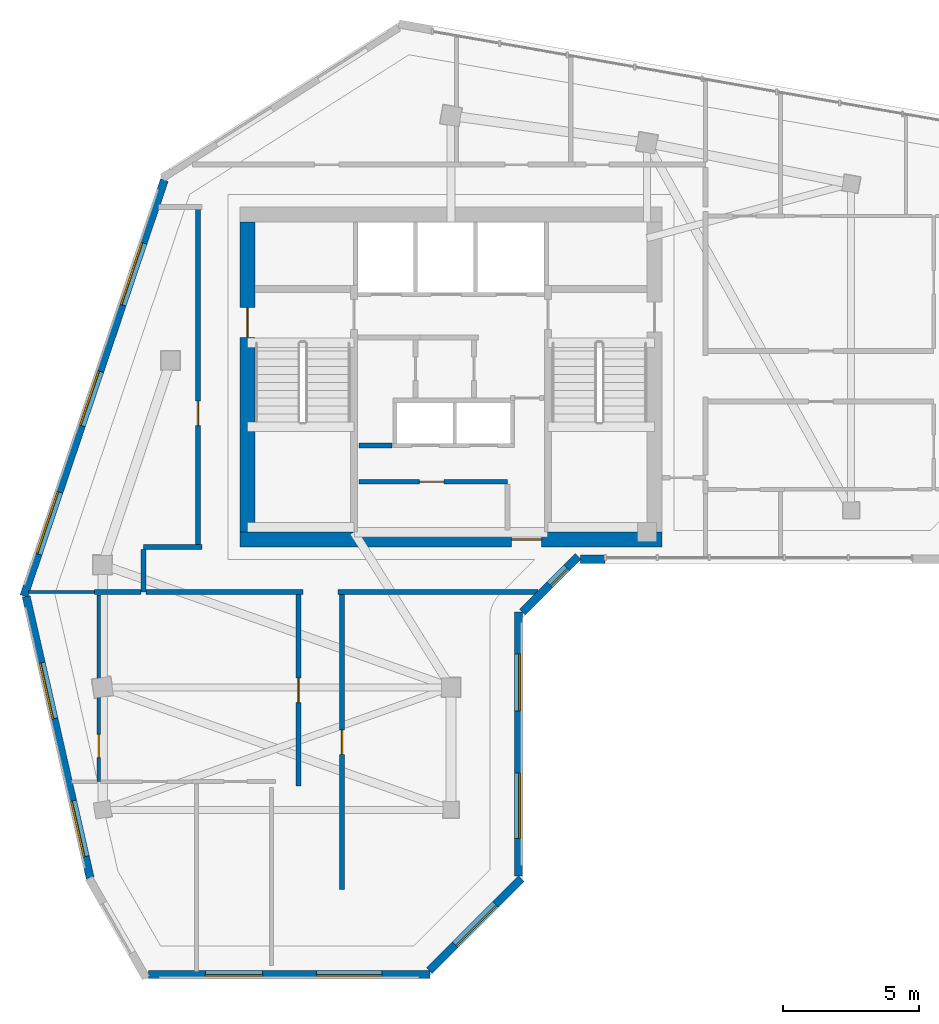
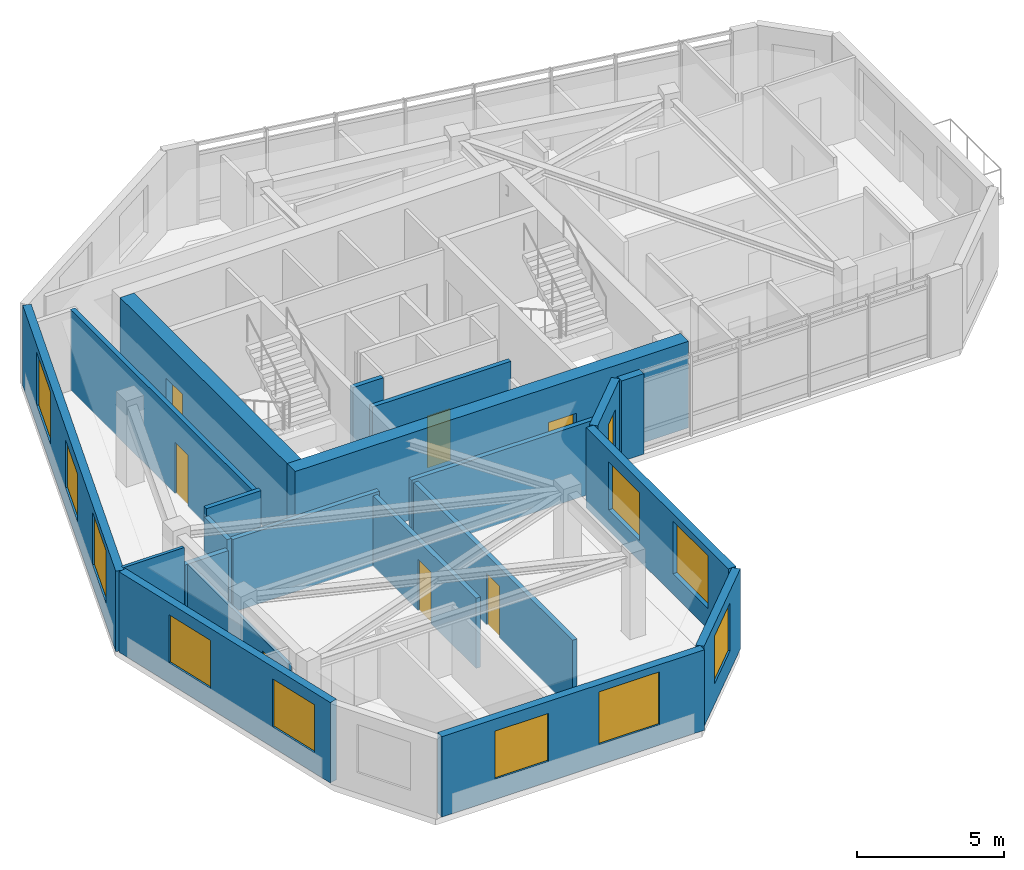
# One storey, part 4 of 10: 21 walls, 11 windows, 7 doors, 18 openings.
"""IFC4 building model written with IfcOpenShell, lengths in metres."""

from ifc_helpers import new_model, si_unit, direction, frame, frame_2d, origin, place, context, subcontext, project, spatial, rectangle, extrude, source, transform, mapped, material, layer, layer_set, type_object, element, fill, save


model = new_model("IFC4")

# Units and contexts
model_context = context("Model", 3, precision=1e-05, world=origin(), true_north=direction((0.0, 1.0)))
body_context = subcontext(model_context, "Body", "Model", "MODEL_VIEW")
ifc_project = project(units=[si_unit("LENGTHUNIT", "METRE"), si_unit("AREAUNIT", "SQUARE_METRE"), si_unit("VOLUMEUNIT", "CUBIC_METRE"), si_unit("PLANEANGLEUNIT", "RADIAN"), si_unit("MASSUNIT", "GRAM", prefix="KILO")], contexts=[model_context])

# Site, building, storey
site_placement = place(None, origin())
site = spatial("IfcSite", under=ifc_project, at=site_placement, CompositionType="ELEMENT")
building_placement = place(site_placement, origin())
building = spatial("IfcBuilding", under=site, at=building_placement, Name="Calvemar Wedge Station Tower", CompositionType="ELEMENT")
storey_placement = place(building_placement, frame((0.0, 0.0, 267.300048828125)))
storey = spatial("IfcBuildingStorey", under=building, at=storey_placement, Name="L68", CompositionType="ELEMENT", Elevation=267.300048828125)

# Wall, opening, door
ifc_material_1 = material(Name="Concrete C60", Category="concrete")
ifc_layer_1 = layer(ifc_material_1, 0.550048828125)
ifc_layer_set_1 = layer_set([ifc_layer_1], Name="Concrete C60")
wall_type_1 = type_object("IfcWallType", Name="SW-CORE-550", PredefinedType="SHEAR", material=ifc_layer_set_1)
wall_1_placement = place(storey_placement, frame((16.050048828125, 33.925048828125, 0.0), z_axis=(0.0, 0.0, 1.0), x_axis=(1.0, 0.0, 0.0)))
wall_1 = element("IfcWall", 1, at=wall_1_placement, inside=storey, type_object=wall_type_1, Name="Storey L68 Core Shear Wall S", PredefinedType="SHEAR", context=body_context, shape_type="SweptSolid", body=[
    extrude(rectangle(XDim=15.5, YDim=0.550048828125, at=frame_2d((7.75, 0.0))), origin(), (0.0, 0.0, 1.0), 3.599853515625),
])
shared_shape_1 = source(origin(), body_context, "Body", "SweptSolid", [
    extrude(rectangle(XDim=1.10009765625, YDim=2.14990234375, at=frame_2d((0.550048828125, 1.074951171875))), frame((0.0, 0.28515625, 0.0), z_axis=(0.0, -1.0, 0.0), x_axis=(1.0, 0.0, 0.0)), (0.0, 0.0, 1.0), 0.570068359375),
])
opening_1_placement = place(wall_1_placement, frame((9.97998046875, 0.0, 0.0)))
opening_1 = element("IfcOpeningElement", 2, at=opening_1_placement, cuts=wall_1, Name="Opening FD-90", PredefinedType="OPENING", context=body_context, shape_type="MappedRepresentation", body=[
    mapped(shared_shape_1, transform((0.0, 0.0, 0.0), scale=1.0)),
])
ifc_material_2 = material(Name="Galvanized fire-rated steel door leaf P-90", Category="steel")
door_type_1 = type_object("IfcDoorType", Name="DR-FD90-1100", OperationType="NOTDEFINED", PredefinedType="DOOR", material=ifc_material_2)
shared_shape_2 = source(origin(), body_context, "Body", "SweptSolid", [
    extrude(rectangle(XDim=1.10009765625, YDim=2.14990234375, at=frame_2d((0.550048828125, 1.074951171875))), frame((0.0, 0.02490234375, 0.0), z_axis=(0.0, -1.0, 0.0), x_axis=(1.0, 0.0, 0.0)), (0.0, 0.0, 1.0), 0.050048828125),
])
door_1_placement = place(opening_1_placement, origin())
door_1 = element("IfcDoor", 3, at=door_1_placement, inside=storey, type_object=door_type_1, Name="L68 Passenger Lift Lobby Door", OperationType="SINGLE_SWING_LEFT", OverallHeight=2.14990234375, OverallWidth=1.10009765625, PredefinedType="DOOR", context=body_context, shape_type="MappedRepresentation", body=[
    mapped(shared_shape_2, transform((0.0, 0.0, 0.0), scale=1.0)),
])
fill(opening_1, door_1)

wall_2_placement = place(storey_placement, frame((16.324951171875, 34.199951171875, 0.0), z_axis=(0.0, 0.0, 1.0), x_axis=(0.0, 1.0, 0.0)))
wall_2 = element("IfcWall", 4, at=wall_2_placement, inside=storey, type_object=wall_type_1, Name="Storey L68 Core Shear Wall W", PredefinedType="SHEAR", context=body_context, shape_type="SweptSolid", body=[
    extrude(rectangle(XDim=11.400146484375, YDim=0.550048828125, at=frame_2d((5.7001953125, 0.0))), origin(), (0.0, 0.0, 1.0), 3.599853515625),
])
opening_2_placement = place(wall_2_placement, frame((7.14990234375, 0.0, 0.0)))
opening_2 = element("IfcOpeningElement", 5, at=opening_2_placement, cuts=wall_2, Name="Opening FD-90", PredefinedType="OPENING", context=body_context, shape_type="MappedRepresentation", body=[
    mapped(shared_shape_1, transform((0.0, 0.0, 0.0), scale=1.0)),
])
door_2_placement = place(opening_2_placement, origin())
door_2 = element("IfcDoor", 6, at=door_2_placement, inside=storey, type_object=door_type_1, Name="L68 West Corridor to Exit Stair ST-C1 Door", OperationType="SINGLE_SWING_LEFT", OverallHeight=2.14990234375, OverallWidth=1.10009765625, PredefinedType="DOOR", context=body_context, shape_type="MappedRepresentation", body=[
    mapped(shared_shape_2, transform((0.0, 0.0, 0.0), scale=1.0)),
])
fill(opening_2, door_2)

# Wall
ifc_material_3 = material(Name="Double-stud fire-rated corridor partition")
ifc_layer_2 = layer(ifc_material_3, 0.179931640625)
ifc_layer_set_2 = layer_set([ifc_layer_2], Name="Double-stud fire-rated corridor partition")
wall_type_2 = type_object("IfcWallType", Name="W-CORR-180", PredefinedType="PARTITIONING", material=ifc_layer_set_2)
wall_3_placement = place(storey_placement, frame((21.6298828125, 37.3798828125, 0.0), z_axis=(0.0, 0.0, 1.0), x_axis=(-1.0, 0.0, 0.0)))
element("IfcWall", 7, at=wall_3_placement, inside=storey, type_object=wall_type_2, Name="Storey L68 Interior Partition WL-L68-004", PredefinedType="PARTITIONING", context=body_context, shape_type="SweptSolid", body=[
    extrude(rectangle(XDim=1.2099609375, YDim=0.179931640625, at=frame_2d((0.60498046875, 0.0))), origin(), (0.0, 0.0, 1.0), 3.349853515625),
])

# Wall, opening, door
wall_4_placement = place(storey_placement, frame((20.419921875, 36.050048828125, 0.0), z_axis=(0.0, 0.0, 1.0), x_axis=(1.0, 0.0, 0.0)))
wall_4 = element("IfcWall", 8, at=wall_4_placement, inside=storey, type_object=wall_type_2, Name="Storey L68 Interior Partition WL-L68-007", PredefinedType="PARTITIONING", context=body_context, shape_type="SweptSolid", body=[
    extrude(rectangle(XDim=5.4599609375, YDim=0.179931640625, at=frame_2d((2.72998046875, 0.0))), origin(), (0.0, 0.0, 1.0), 3.349853515625),
])
shared_shape_3 = source(origin(), body_context, "Body", "SweptSolid", [
    extrude(rectangle(XDim=0.89990234375, YDim=2.14990234375, at=frame_2d((0.449951171875, 1.074951171875))), frame((0.0, 0.10009765625, 0.0), z_axis=(0.0, -1.0, 0.0), x_axis=(1.0, 0.0, 0.0)), (0.0, 0.0, 1.0), 0.199951171875),
])
opening_3_placement = place(wall_4_placement, frame((2.219482421875, 0.0, 0.0)))
opening_3 = element("IfcOpeningElement", 9, at=opening_3_placement, cuts=wall_4, Name="Opening FD-60", PredefinedType="OPENING", context=body_context, shape_type="MappedRepresentation", body=[
    mapped(shared_shape_3, transform((0.0, 0.0, 0.0), scale=1.0)),
])
ifc_material_4 = material(Name="Fire-rated acoustic timber-core entrance door EI 60", Category="wood")
door_type_2 = type_object("IfcDoorType", Name="DR-FD60-900", OperationType="NOTDEFINED", PredefinedType="DOOR", material=ifc_material_4)
shared_shape_4 = source(origin(), body_context, "Body", "SweptSolid", [
    extrude(rectangle(XDim=0.89990234375, YDim=2.14990234375, at=frame_2d((0.449951171875, 1.074951171875))), frame((0.0, 0.02490234375, 0.0), z_axis=(0.0, -1.0, 0.0), x_axis=(1.0, 0.0, 0.0)), (0.0, 0.0, 1.0), 0.050048828125),
])
door_3_placement = place(opening_3_placement, origin())
door_3 = element("IfcDoor", 10, at=door_3_placement, inside=storey, type_object=door_type_2, Name="L68 Wine and Parcel Store Door", OperationType="SINGLE_SWING_LEFT", OverallHeight=2.14990234375, OverallWidth=0.89990234375, PredefinedType="DOOR", context=body_context, shape_type="MappedRepresentation", body=[
    mapped(shared_shape_4, transform((0.0, 0.0, 0.0), scale=1.0)),
])
fill(opening_3, door_3)

# Walls
wall_5_placement = place(storey_placement, frame((12.5, 33.64990234375, 0.0), z_axis=(0.0, 0.0, 1.0), x_axis=(1.0, 0.0, 0.0)))
element("IfcWall", 11, at=wall_5_placement, inside=storey, type_object=wall_type_2, Name="Storey L68 Interior Partition WL-L68-009", PredefinedType="PARTITIONING", context=body_context, shape_type="SweptSolid", body=[
    extrude(rectangle(XDim=2.159912109375, YDim=0.179931640625, at=frame_2d((1.080078125, 0.0))), origin(), (0.0, 0.0, 1.0), 3.349853515625),
])
wall_6_placement = place(storey_placement, frame((12.5, 32.0, 0.0), z_axis=(0.0, 0.0, 1.0), x_axis=(0.0, 1.0, 0.0)))
element("IfcWall", 12, at=wall_6_placement, inside=storey, type_object=wall_type_2, Name="Storey L68 Interior Partition WL-L68-010", PredefinedType="PARTITIONING", context=body_context, shape_type="SweptSolid", body=[
    extrude(rectangle(XDim=1.555908203125, YDim=0.179931640625, at=frame_2d((0.77783203125, 0.0))), origin(), (0.0, 0.0, 1.0), 3.033935546875),
])
wall_7_placement = place(storey_placement, frame((18.360107421875, 32.0, 0.0), z_axis=(0.0, 0.0, 1.0), x_axis=(-1.0, 0.0, 0.0)))
element("IfcWall", 13, at=wall_7_placement, inside=storey, type_object=wall_type_2, Name="Storey L68 Interior Partition WL-L68-012", PredefinedType="PARTITIONING", context=body_context, shape_type="SweptSolid", body=[
    extrude(rectangle(XDim=5.76611328125, YDim=0.179931640625, at=frame_2d((2.883056640625, 0.0))), origin(), (0.0, 0.0, 1.0), 3.033935546875),
])
wall_8_placement = place(storey_placement, frame((27.001220703125, 32.0, 0.0), z_axis=(0.0, 0.0, 1.0), x_axis=(-1.0, 0.0, 0.0)))
element("IfcWall", 14, at=wall_8_placement, inside=storey, type_object=wall_type_2, Name="Storey L68 Interior Partition WL-L68-013", PredefinedType="PARTITIONING", context=body_context, shape_type="SweptSolid", body=[
    extrude(rectangle(XDim=7.361328125, YDim=0.179931640625, at=frame_2d((3.6806640625, 0.0))), origin(), (0.0, 0.0, 1.0), 3.033935546875),
])

# Wall, opening, door
wall_9_placement = place(storey_placement, frame((14.5, 33.743896484375, 0.0), z_axis=(0.0, 0.0, 1.0), x_axis=(0.0, 1.0, 0.0)))
wall_9 = element("IfcWall", 15, at=wall_9_placement, inside=storey, type_object=wall_type_2, Name="Storey L68 Interior Partition WL-L68-014", PredefinedType="PARTITIONING", context=body_context, shape_type="SweptSolid", body=[
    extrude(rectangle(XDim=12.406005859375, YDim=0.179931640625, at=frame_2d((6.203125, 0.0))), origin(), (0.0, 0.0, 1.0), 3.349853515625),
])
opening_4_placement = place(wall_9_placement, frame((4.36962890625, 0.0, 0.0)))
opening_4 = element("IfcOpeningElement", 16, at=opening_4_placement, cuts=wall_9, Name="Opening D-01", PredefinedType="OPENING", context=body_context, shape_type="MappedRepresentation", body=[
    mapped(shared_shape_3, transform((0.0, 0.0, 0.0), scale=1.0)),
])
ifc_material_5 = material(Name="Architectural hardwood acoustic swing door", Category="wood")
door_type_3 = type_object("IfcDoorType", Name="DR-INT-900", OperationType="NOTDEFINED", PredefinedType="DOOR", material=ifc_material_5)
shared_shape_5 = source(origin(), body_context, "Body", "SweptSolid", [
    extrude(rectangle(XDim=0.89990234375, YDim=2.14990234375, at=frame_2d((0.449951171875, 1.074951171875))), frame((0.0, 0.02490234375, 0.0), z_axis=(0.0, -1.0, 0.0), x_axis=(1.0, 0.0, 0.0)), (0.0, 0.0, 1.0), 0.050048828125),
])
door_4_placement = place(opening_4_placement, origin())
door_4 = element("IfcDoor", 17, at=door_4_placement, inside=storey, type_object=door_type_3, Name="L68 Resident Reading Lounge Door", OperationType="SINGLE_SWING_RIGHT", OverallHeight=2.14990234375, OverallWidth=0.89990234375, PredefinedType="DOOR", context=body_context, shape_type="MappedRepresentation", body=[
    mapped(shared_shape_5, transform((0.0, 0.0, 0.0), scale=1.0)),
])
fill(opening_4, door_4)

wall_10_placement = place(storey_placement, frame((18.199951171875, 24.8720703125, 0.0), z_axis=(0.0, 0.0, 1.0), x_axis=(0.0, 1.0, 0.0)))
wall_10 = element("IfcWall", 18, at=wall_10_placement, inside=storey, type_object=wall_type_2, Name="Storey L68 Interior Partition WL-L68-044", PredefinedType="PARTITIONING", context=body_context, shape_type="SweptSolid", body=[
    extrude(rectangle(XDim=7.033935546875, YDim=0.179931640625, at=frame_2d((3.51708984375, 0.0))), origin(), (0.0, 0.0, 1.0), 2.921875),
])
opening_5_placement = place(wall_10_placement, frame((3.06689453125, 0.0, 0.0)))
opening_5 = element("IfcOpeningElement", 19, at=opening_5_placement, cuts=wall_10, Name="Opening FD-60", PredefinedType="OPENING", context=body_context, shape_type="MappedRepresentation", body=[
    mapped(shared_shape_3, transform((0.0, 0.0, 0.0), scale=1.0)),
])
door_5_placement = place(opening_5_placement, origin())
door_5 = element("IfcDoor", 20, at=door_5_placement, inside=storey, type_object=door_type_2, Name="L68 Living Dining Door", OperationType="SINGLE_SWING_RIGHT", OverallHeight=2.14990234375, OverallWidth=0.89990234375, PredefinedType="DOOR", context=body_context, shape_type="MappedRepresentation", body=[
    mapped(shared_shape_4, transform((0.0, 0.0, 0.0), scale=1.0)),
])
fill(opening_5, door_5)

wall_11_placement = place(storey_placement, frame((19.800048828125, 31.906005859375, 0.0), z_axis=(0.0, 0.0, 1.0), x_axis=(0.0, -1.0, 0.0)))
wall_11 = element("IfcWall", 21, at=wall_11_placement, inside=storey, type_object=wall_type_2, Name="Storey L68 Interior Partition WL-L68-045", PredefinedType="PARTITIONING", context=body_context, shape_type="SweptSolid", body=[
    extrude(rectangle(XDim=10.841064453125, YDim=0.179931640625, at=frame_2d((5.42041015625, 0.0))), origin(), (0.0, 0.0, 1.0), 2.921875),
])
opening_6_placement = place(wall_11_placement, frame((4.970458984375, 0.0, 0.0)))
opening_6 = element("IfcOpeningElement", 22, at=opening_6_placement, cuts=wall_11, Name="Opening D-01", PredefinedType="OPENING", context=body_context, shape_type="MappedRepresentation", body=[
    mapped(shared_shape_3, transform((0.0, 0.0, 0.0), scale=1.0)),
])
door_6_placement = place(opening_6_placement, origin())
door_6 = element("IfcDoor", 23, at=door_6_placement, inside=storey, type_object=door_type_3, Name="L68 Sky Wellness Fitness Studio Door", OperationType="SINGLE_SWING_RIGHT", OverallHeight=2.14990234375, OverallWidth=0.89990234375, PredefinedType="DOOR", context=body_context, shape_type="MappedRepresentation", body=[
    mapped(shared_shape_5, transform((0.0, 0.0, 0.0), scale=1.0)),
])
fill(opening_6, door_6)

# Wall
ifc_material_6 = material(Name="Twin-stud fire-rated inter-tenancy wall")
ifc_layer_3 = layer(ifc_material_6, 0.199951171875)
ifc_layer_set_3 = layer_set([ifc_layer_3], Name="Twin-stud fire-rated inter-tenancy wall")
wall_type_3 = type_object("IfcWallType", Name="W-DEMISE-200", PredefinedType="PARTITIONING", material=ifc_layer_set_3)
wall_12_placement = place(storey_placement, frame((12.406005859375, 32.0, 0.0), z_axis=(0.0, 0.0, 1.0), x_axis=(-1.0, 0.0, 0.0)))
element("IfcWall", 24, at=wall_12_placement, inside=storey, type_object=wall_type_3, Name="Storey L68 Interior Partition WL-L68-023", PredefinedType="PARTITIONING", context=body_context, shape_type="SweptSolid", body=[
    extrude(rectangle(XDim=1.7080078125, YDim=0.199951171875, at=frame_2d((0.85400390625, 0.0))), origin(), (0.0, 0.0, 1.0), 2.641845703125),
])

# Wall, openings, windows
ifc_material_7 = material(Name="Precast concrete C45", Category="concrete")
ifc_layer_4 = layer(ifc_material_7, 0.300048828125)
ifc_layer_set_4 = layer_set([ifc_layer_4], Name="Precast concrete C45")
wall_type_4 = type_object("IfcWallType", Name="W-EXT-GFRC-300", PredefinedType="SOLIDWALL", material=ifc_layer_set_4)
wall_13_placement = place(storey_placement, frame((12.677978515625, 17.949951171875, 0.0), z_axis=(0.0, 0.0, 1.0), x_axis=(1.0, 0.0, 0.0)))
wall_13 = element("IfcWall", 25, at=wall_13_placement, inside=storey, type_object=wall_type_4, Name="Storey L68 Bronze GFRC Exterior Wall 2", PredefinedType="SOLIDWALL", context=body_context, shape_type="SweptSolid", body=[
    extrude(rectangle(XDim=10.342041015625, YDim=0.300048828125, at=frame_2d((5.1708984375, 0.0))), origin(), (0.0, 0.0, 1.0), 3.349853515625),
])
shared_shape_6 = source(origin(), body_context, "Body", "SweptSolid", [
    extrude(rectangle(XDim=2.10009765625, YDim=2.0, at=frame_2d((1.050048828125, 1.0))), frame((0.0, 0.16015625, 0.0), z_axis=(0.0, -1.0, 0.0), x_axis=(1.0, 0.0, 0.0)), (0.0, 0.0, 1.0), 0.320068359375),
])
opening_7_placement = place(wall_13_placement, frame((2.096923828125, 0.0, 0.85009765625)))
opening_7 = element("IfcOpeningElement", 26, at=opening_7_placement, cuts=wall_13, Name="Opening W4", PredefinedType="OPENING", context=body_context, shape_type="MappedRepresentation", body=[
    mapped(shared_shape_6, transform((0.0, 0.0, 0.0), scale=1.0)),
])
shared_shape_7 = source(origin(), body_context, "Body", "SweptSolid", [
    extrude(rectangle(XDim=2.39990234375, YDim=2.199951171875, at=frame_2d((1.199951171875, 1.10009765625))), frame((0.0, 0.16015625, 0.0), z_axis=(0.0, -1.0, 0.0), x_axis=(1.0, 0.0, 0.0)), (0.0, 0.0, 1.0), 0.320068359375),
])
opening_8_placement = place(wall_13_placement, frame((6.181884765625, 0.0, 0.85009765625)))
opening_8 = element("IfcOpeningElement", 27, at=opening_8_placement, cuts=wall_13, Name="Opening W1", PredefinedType="OPENING", context=body_context, shape_type="MappedRepresentation", body=[
    mapped(shared_shape_7, transform((0.0, 0.0, 0.0), scale=1.0)),
])
ifc_material_8 = material(Name="Low-E laminated insulated glass", Category="glass")
window_type_1 = type_object("IfcWindowType", Name="WIN-EXT-4", PartitioningType="SINGLE_PANEL", PredefinedType="WINDOW", material=ifc_material_8)
shared_shape_8 = source(origin(), body_context, "Body", "SweptSolid", [
    extrude(rectangle(XDim=2.10009765625, YDim=2.0, at=frame_2d((1.050048828125, 1.0))), frame((0.0, -0.014892578125, 0.0), z_axis=(0.0, -1.0, 0.0), x_axis=(1.0, 0.0, 0.0)), (0.0, 0.0, 1.0), 0.06005859375),
])
window_1_placement = place(opening_7_placement, origin())
window_1 = element("IfcWindow", 28, at=window_1_placement, inside=storey, type_object=window_type_1, Name="Storey L68 Recessed Window 2.1", OverallHeight=2.0, OverallWidth=2.10009765625, PartitioningType="SINGLE_PANEL", PredefinedType="WINDOW", context=body_context, shape_type="MappedRepresentation", body=[
    mapped(shared_shape_8, transform((0.0, 0.0, 0.0), scale=1.0)),
])
fill(opening_7, window_1)
window_type_2 = type_object("IfcWindowType", Name="WIN-EXT-1", PartitioningType="SINGLE_PANEL", PredefinedType="WINDOW", material=ifc_material_8)
shared_shape_9 = source(origin(), body_context, "Body", "SweptSolid", [
    extrude(rectangle(XDim=2.39990234375, YDim=2.199951171875, at=frame_2d((1.199951171875, 1.10009765625))), frame((0.0, -0.014892578125, 0.0), z_axis=(0.0, -1.0, 0.0), x_axis=(1.0, 0.0, 0.0)), (0.0, 0.0, 1.0), 0.06005859375),
])
window_2_placement = place(opening_8_placement, origin())
window_2 = element("IfcWindow", 29, at=window_2_placement, inside=storey, type_object=window_type_2, Name="Storey L68 Recessed Window 2.2", OverallHeight=2.199951171875, OverallWidth=2.39990234375, PartitioningType="SINGLE_PANEL", PredefinedType="WINDOW", context=body_context, shape_type="MappedRepresentation", body=[
    mapped(shared_shape_9, transform((0.0, 0.0, 0.0), scale=1.0)),
])
fill(opening_8, window_2)

# Wall, opening, window
wall_14_placement = place(storey_placement, frame((23.0078125, 18.087890625, 0.0), z_axis=(0.0, 0.0, 1.0), x_axis=(0.707106781187, 0.707106781187, 0.0)))
wall_14 = element("IfcWall", 30, at=wall_14_placement, inside=storey, type_object=wall_type_4, Name="Storey L68 Bronze GFRC Exterior Wall 3", PredefinedType="SOLIDWALL", context=body_context, shape_type="SweptSolid", body=[
    extrude(rectangle(XDim=4.780517578125, YDim=0.300048828125, at=frame_2d((2.39013671875, 0.0))), origin(), (0.0, 0.0, 1.0), 3.349853515625),
])
opening_9_placement = place(wall_14_placement, frame((1.340087890625, 0.0, 0.85009765625)))
opening_9 = element("IfcOpeningElement", 31, at=opening_9_placement, cuts=wall_14, Name="Opening W4", PredefinedType="OPENING", context=body_context, shape_type="MappedRepresentation", body=[
    mapped(shared_shape_6, transform((0.0, 0.0, 0.0), scale=1.0)),
])
window_3_placement = place(opening_9_placement, origin())
window_3 = element("IfcWindow", 32, at=window_3_placement, inside=storey, type_object=window_type_1, Name="Storey L68 Recessed Window 3.1", OverallHeight=2.0, OverallWidth=2.10009765625, PartitioningType="SINGLE_PANEL", PredefinedType="WINDOW", context=body_context, shape_type="MappedRepresentation", body=[
    mapped(shared_shape_8, transform((0.0, 0.0, 0.0), scale=1.0)),
])
fill(opening_9, window_3)

# Wall, openings, windows
wall_15_placement = place(storey_placement, frame((26.281982421875, 21.557373046875, 0.0), z_axis=(0.0, 0.0, 1.0), x_axis=(0.0, 1.0, 0.0)))
wall_15 = element("IfcWall", 33, at=wall_15_placement, inside=storey, type_object=wall_type_4, Name="Storey L68 Bronze GFRC Exterior Wall 4", PredefinedType="SOLIDWALL", context=body_context, shape_type="SweptSolid", body=[
    extrude(rectangle(XDim=9.710693359375, YDim=0.300048828125, at=frame_2d((4.85546875, 0.0))), origin(), (0.0, 0.0, 1.0), 3.349853515625),
])
opening_10_placement = place(wall_15_placement, frame((1.387939453125, 0.0, 0.85009765625)))
opening_10 = element("IfcOpeningElement", 34, at=opening_10_placement, cuts=wall_15, Name="Opening W1", PredefinedType="OPENING", context=body_context, shape_type="MappedRepresentation", body=[
    mapped(shared_shape_7, transform((0.0, 0.0, 0.0), scale=1.0)),
])
opening_11_placement = place(wall_15_placement, frame((6.072998046875, 0.0, 0.85009765625)))
opening_11 = element("IfcOpeningElement", 35, at=opening_11_placement, cuts=wall_15, Name="Opening W4", PredefinedType="OPENING", context=body_context, shape_type="MappedRepresentation", body=[
    mapped(shared_shape_6, transform((0.0, 0.0, 0.0), scale=1.0)),
])
window_4_placement = place(opening_11_placement, origin())
window_4 = element("IfcWindow", 36, at=window_4_placement, inside=storey, type_object=window_type_1, Name="Storey L68 Recessed Window 4.2", OverallHeight=2.0, OverallWidth=2.10009765625, PartitioningType="SINGLE_PANEL", PredefinedType="WINDOW", context=body_context, shape_type="MappedRepresentation", body=[
    mapped(shared_shape_8, transform((0.0, 0.0, 0.0), scale=1.0)),
])
fill(opening_11, window_4)
window_5_placement = place(opening_10_placement, origin())
window_5 = element("IfcWindow", 37, at=window_5_placement, inside=storey, type_object=window_type_2, Name="Storey L68 Recessed Window 4.1", OverallHeight=2.199951171875, OverallWidth=2.39990234375, PartitioningType="SINGLE_PANEL", PredefinedType="WINDOW", context=body_context, shape_type="MappedRepresentation", body=[
    mapped(shared_shape_9, transform((0.0, 0.0, 0.0), scale=1.0)),
])
fill(opening_10, window_5)

# Wall, opening, window
wall_16_placement = place(storey_placement, frame((26.419921875, 31.256103515625, 0.0), z_axis=(0.0, 0.0, 1.0), x_axis=(0.707106781187, 0.707106781187, 0.0)))
wall_16 = element("IfcWall", 38, at=wall_16_placement, inside=storey, type_object=wall_type_4, Name="Storey L68 Bronze GFRC Exterior Wall 5", PredefinedType="SOLIDWALL", context=body_context, shape_type="SweptSolid", body=[
    extrude(rectangle(XDim=2.907470703125, YDim=0.300048828125, at=frame_2d((1.45361328125, 0.0))), origin(), (0.0, 0.0, 1.0), 3.349853515625),
])
shared_shape_10 = source(origin(), body_context, "Body", "SweptSolid", [
    extrude(rectangle(XDim=0.89990234375, YDim=1.60009765625, at=frame_2d((0.449951171875, 0.800048828125))), frame((0.0, 0.16015625, 0.0), z_axis=(0.0, -1.0, 0.0), x_axis=(1.0, 0.0, 0.0)), (0.0, 0.0, 1.0), 0.320068359375),
])
opening_12_placement = place(wall_16_placement, frame((1.422119140625, 0.0, 0.85009765625)))
opening_12 = element("IfcOpeningElement", 39, at=opening_12_placement, cuts=wall_16, Name="Opening W7", PredefinedType="OPENING", context=body_context, shape_type="MappedRepresentation", body=[
    mapped(shared_shape_10, transform((0.0, 0.0, 0.0), scale=1.0)),
])
window_type_3 = type_object("IfcWindowType", Name="WIN-EXT-7", PartitioningType="SINGLE_PANEL", PredefinedType="WINDOW", material=ifc_material_8)
shared_shape_11 = source(origin(), body_context, "Body", "SweptSolid", [
    extrude(rectangle(XDim=0.89990234375, YDim=1.60009765625, at=frame_2d((0.449951171875, 0.800048828125))), frame((0.0, -0.014892578125, 0.0), z_axis=(0.0, -1.0, 0.0), x_axis=(1.0, 0.0, 0.0)), (0.0, 0.0, 1.0), 0.06005859375),
])
window_6_placement = place(opening_12_placement, origin())
window_6 = element("IfcWindow", 40, at=window_6_placement, inside=storey, type_object=window_type_3, Name="Storey L68 Recessed Window 5.1", OverallHeight=1.60009765625, OverallWidth=0.89990234375, PartitioningType="SINGLE_PANEL", PredefinedType="WINDOW", context=body_context, shape_type="MappedRepresentation", body=[
    mapped(shared_shape_11, transform((0.0, 0.0, 0.0), scale=1.0)),
])
fill(opening_12, window_6)

# Wall
wall_17_placement = place(storey_placement, frame((28.56494140625, 33.2060546875, 0.0), z_axis=(0.0, 0.0, 1.0), x_axis=(1.0, 0.0, 0.0)))
element("IfcWall", 41, at=wall_17_placement, inside=storey, type_object=wall_type_4, Name="Storey L68 Bronze GFRC Corner Pier 6A", PredefinedType="SOLIDWALL", context=body_context, shape_type="SweptSolid", body=[
    extrude(rectangle(XDim=0.885009765625, YDim=0.300048828125, at=frame_2d((0.4423828125, 0.0))), origin(), (0.0, 0.0, 1.0), 3.349853515625),
])

# Wall, openings, windows
wall_18_placement = place(storey_placement, frame((13.2685546875, 47.1337890625, 0.0), z_axis=(0.0, 0.0, 1.0), x_axis=(-0.3199211297, -0.947444178182, 0.0)))
wall_18 = element("IfcWall", 42, at=wall_18_placement, inside=storey, type_object=wall_type_4, Name="Storey L68 Bronze GFRC Exterior Wall 12", PredefinedType="SOLIDWALL", context=body_context, shape_type="SweptSolid", body=[
    extrude(rectangle(XDim=16.1318359375, YDim=0.300048828125, at=frame_2d((8.06591796875, 0.0))), origin(), (0.0, 0.0, 1.0), 3.349853515625),
])
opening_13_placement = place(wall_18_placement, frame((2.43505859375, 0.0, 0.85009765625)))
opening_13 = element("IfcOpeningElement", 43, at=opening_13_placement, cuts=wall_18, Name="Opening W1", PredefinedType="OPENING", context=body_context, shape_type="MappedRepresentation", body=[
    mapped(shared_shape_7, transform((0.0, 0.0, 0.0), scale=1.0)),
])
opening_14_placement = place(wall_18_placement, frame((7.4169921875, 0.0, 0.85009765625)))
opening_14 = element("IfcOpeningElement", 44, at=opening_14_placement, cuts=wall_18, Name="Opening W4", PredefinedType="OPENING", context=body_context, shape_type="MappedRepresentation", body=[
    mapped(shared_shape_6, transform((0.0, 0.0, 0.0), scale=1.0)),
])
opening_15_placement = place(wall_18_placement, frame((12.09912109375, 0.0, 0.85009765625)))
opening_15 = element("IfcOpeningElement", 45, at=opening_15_placement, cuts=wall_18, Name="Opening W1", PredefinedType="OPENING", context=body_context, shape_type="MappedRepresentation", body=[
    mapped(shared_shape_7, transform((0.0, 0.0, 0.0), scale=1.0)),
])
window_7_placement = place(opening_14_placement, origin())
window_7 = element("IfcWindow", 46, at=window_7_placement, inside=storey, type_object=window_type_1, Name="Storey L68 Recessed Window 12.2", OverallHeight=2.0, OverallWidth=2.10009765625, PartitioningType="SINGLE_PANEL", PredefinedType="WINDOW", context=body_context, shape_type="MappedRepresentation", body=[
    mapped(shared_shape_8, transform((0.0, 0.0, 0.0), scale=1.0)),
])
fill(opening_14, window_7)
window_8_placement = place(opening_13_placement, origin())
window_8 = element("IfcWindow", 47, at=window_8_placement, inside=storey, type_object=window_type_2, Name="Storey L68 Recessed Window 12.1", OverallHeight=2.199951171875, OverallWidth=2.39990234375, PartitioningType="SINGLE_PANEL", PredefinedType="WINDOW", context=body_context, shape_type="MappedRepresentation", body=[
    mapped(shared_shape_9, transform((0.0, 0.0, 0.0), scale=1.0)),
])
fill(opening_13, window_8)
window_9_placement = place(opening_15_placement, origin())
window_9 = element("IfcWindow", 48, at=window_9_placement, inside=storey, type_object=window_type_2, Name="Storey L68 Recessed Window 12.3", OverallHeight=2.199951171875, OverallWidth=2.39990234375, PartitioningType="SINGLE_PANEL", PredefinedType="WINDOW", context=body_context, shape_type="MappedRepresentation", body=[
    mapped(shared_shape_9, transform((0.0, 0.0, 0.0), scale=1.0)),
])
fill(opening_15, window_9)

wall_19_placement = place(storey_placement, frame((8.19140625, 31.834228515625, 0.0), z_axis=(0.0, 0.0, 1.0), x_axis=(0.221636032737, -0.975129462683, 0.0)))
wall_19 = element("IfcWall", 49, at=wall_19_placement, inside=storey, type_object=wall_type_4, Name="Storey L68 Bronze GFRC Exterior Wall 13", PredefinedType="SOLIDWALL", context=body_context, shape_type="SweptSolid", body=[
    extrude(rectangle(XDim=10.602294921875, YDim=0.300048828125, at=frame_2d((5.30126953125, 0.0))), origin(), (0.0, 0.0, 1.0), 3.349853515625),
])
opening_16_placement = place(wall_19_placement, frame((2.5009765625, 0.0, 0.85009765625)))
opening_16 = element("IfcOpeningElement", 50, at=opening_16_placement, cuts=wall_19, Name="Opening W4", PredefinedType="OPENING", context=body_context, shape_type="MappedRepresentation", body=[
    mapped(shared_shape_6, transform((0.0, 0.0, 0.0), scale=1.0)),
])
opening_17_placement = place(wall_19_placement, frame((7.701904296875, 0.0, 0.85009765625)))
opening_17 = element("IfcOpeningElement", 51, at=opening_17_placement, cuts=wall_19, Name="Opening W4", PredefinedType="OPENING", context=body_context, shape_type="MappedRepresentation", body=[
    mapped(shared_shape_6, transform((0.0, 0.0, 0.0), scale=1.0)),
])
window_10_placement = place(opening_16_placement, origin())
window_10 = element("IfcWindow", 52, at=window_10_placement, inside=storey, type_object=window_type_1, Name="Storey L68 Recessed Window 13.1", OverallHeight=2.0, OverallWidth=2.10009765625, PartitioningType="SINGLE_PANEL", PredefinedType="WINDOW", context=body_context, shape_type="MappedRepresentation", body=[
    mapped(shared_shape_8, transform((0.0, 0.0, 0.0), scale=1.0)),
])
fill(opening_16, window_10)
window_11_placement = place(opening_17_placement, origin())
window_11 = element("IfcWindow", 53, at=window_11_placement, inside=storey, type_object=window_type_1, Name="Storey L68 Recessed Window 13.2", OverallHeight=2.0, OverallWidth=2.10009765625, PartitioningType="SINGLE_PANEL", PredefinedType="WINDOW", context=body_context, shape_type="MappedRepresentation", body=[
    mapped(shared_shape_8, transform((0.0, 0.0, 0.0), scale=1.0)),
])
fill(opening_17, window_11)

# Wall
ifc_material_9 = material(Name="Insulated acoustic gypsum stud partition")
ifc_layer_5 = layer(ifc_material_9, 0.125)
ifc_layer_set_5 = layer_set([ifc_layer_5], Name="Insulated acoustic gypsum stud partition")
wall_type_5 = type_object("IfcWallType", Name="W-PART-125", PredefinedType="PARTITIONING", material=ifc_layer_set_5)
wall_20_placement = place(storey_placement, frame((10.696044921875, 32.0, 0.0), z_axis=(0.0, 0.0, 1.0), x_axis=(-1.0, 0.0, 0.0)))
element("IfcWall", 54, at=wall_20_placement, inside=storey, type_object=wall_type_5, Name="Storey L68 Interior Partition WL-L68-024", PredefinedType="PARTITIONING", context=body_context, shape_type="SweptSolid", body=[
    extrude(rectangle(XDim=2.416259765625, YDim=0.125, at=frame_2d((1.2080078125, 0.0))), origin(), (0.0, 0.0, 1.0), 3.349853515625),
])

# Wall, opening, door
wall_21_placement = place(storey_placement, frame((10.85791015625, 25.031982421875, 0.0), z_axis=(0.0, 0.0, 1.0), x_axis=(0.0, 1.0, 0.0)))
wall_21 = element("IfcWall", 55, at=wall_21_placement, inside=storey, type_object=wall_type_5, Name="Storey L68 Interior Partition WL-L68-046", PredefinedType="PARTITIONING", context=body_context, shape_type="SweptSolid", body=[
    extrude(rectangle(XDim=6.864013671875, YDim=0.125, at=frame_2d((3.43212890625, 0.0))), origin(), (0.0, 0.0, 1.0), 2.641845703125),
])
shared_shape_12 = source(origin(), body_context, "Body", "SweptSolid", [
    extrude(rectangle(XDim=0.85009765625, YDim=2.14990234375, at=frame_2d((0.425048828125, 1.074951171875))), frame((0.0, 0.072509765625, 0.0), z_axis=(0.0, -1.0, 0.0), x_axis=(1.0, 0.0, 0.0)), (0.0, 0.0, 1.0), 0.14501953125),
])
opening_18_placement = place(wall_21_placement, frame((0.885986328125, 0.0, 0.0)))
opening_18 = element("IfcOpeningElement", 56, at=opening_18_placement, cuts=wall_21, Name="Opening D-02", PredefinedType="OPENING", context=body_context, shape_type="MappedRepresentation", body=[
    mapped(shared_shape_12, transform((0.0, 0.0, 0.0), scale=1.0)),
])
ifc_material_10 = material(Name="Moisture-sealed bathroom hardwood swing door", Category="wood")
door_type_4 = type_object("IfcDoorType", Name="DR-WET-850", OperationType="NOTDEFINED", PredefinedType="DOOR", material=ifc_material_10)
shared_shape_13 = source(origin(), body_context, "Body", "SweptSolid", [
    extrude(rectangle(XDim=0.85009765625, YDim=2.14990234375, at=frame_2d((0.425048828125, 1.074951171875))), frame((0.0, 0.02490234375, 0.0), z_axis=(0.0, -1.0, 0.0), x_axis=(1.0, 0.0, 0.0)), (0.0, 0.0, 1.0), 0.050048828125),
])
door_7_placement = place(opening_18_placement, origin())
door_7 = element("IfcDoor", 57, at=door_7_placement, inside=storey, type_object=door_type_4, Name="L68 Kitchen Door", OperationType="SINGLE_SWING_LEFT", OverallHeight=2.14990234375, OverallWidth=0.85009765625, PredefinedType="DOOR", context=body_context, shape_type="MappedRepresentation", body=[
    mapped(shared_shape_13, transform((0.0, 0.0, 0.0), scale=1.0)),
])
fill(opening_18, door_7)

save(model, "model.ifc")
